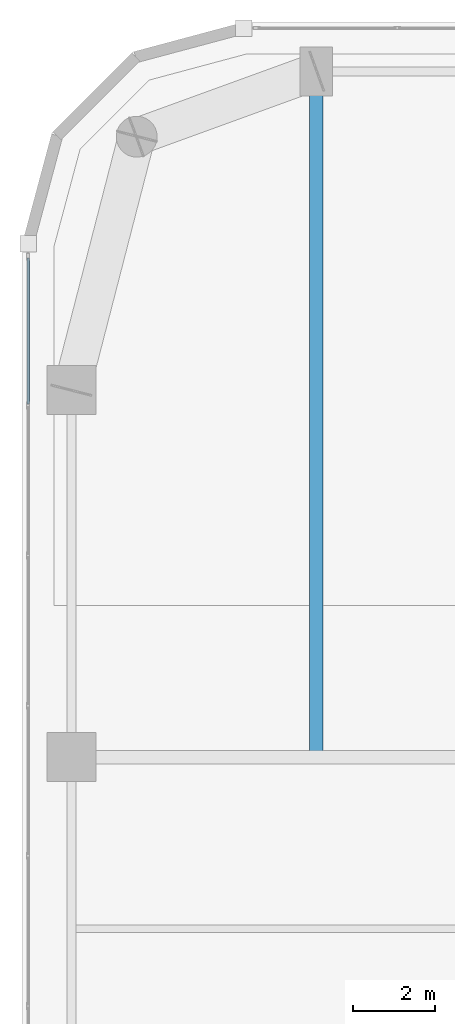
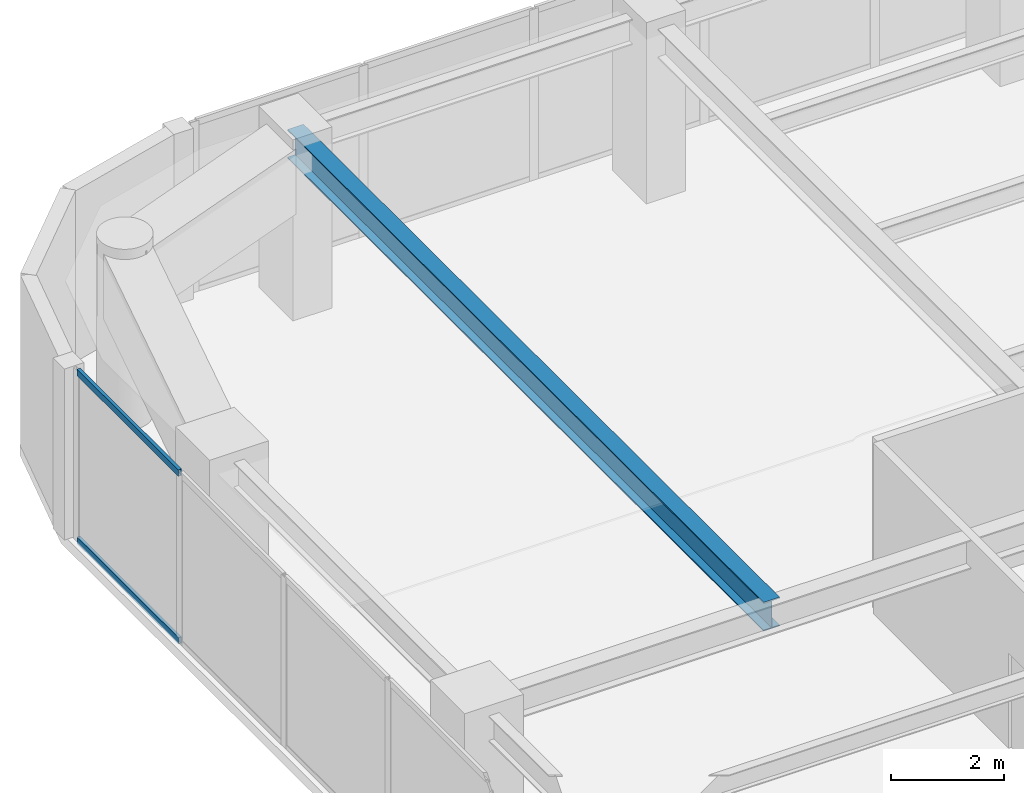
# One storey, part 14 of 30: 2 members, 1 beam, 1 element without a shape of its own.
"""IFC4 building model written with IfcOpenShell, lengths in metres."""

from ifc_helpers import new_model, si_unit, direction, frame, origin, origin_2d, place, context, subcontext, project, spatial, hollow_rectangle, i_section, extrude, material, layer, layer_set, material_profile, profile_set, type_object, element, aggregate, save


model = new_model("IFC4")

# Units and contexts
model_context = context("Model", 3, precision=1e-05, world=origin(), true_north=direction((0.0, 1.0)))
body_context = subcontext(model_context, "Body", "Model", "MODEL_VIEW")
ifc_project = project(units=[si_unit("LENGTHUNIT", "METRE"), si_unit("AREAUNIT", "SQUARE_METRE"), si_unit("VOLUMEUNIT", "CUBIC_METRE"), si_unit("PLANEANGLEUNIT", "RADIAN"), si_unit("MASSUNIT", "GRAM", prefix="KILO")], contexts=[model_context])

# Site, building, storey
site_placement = place(None, origin())
site = spatial("IfcSite", under=ifc_project, at=site_placement, CompositionType="ELEMENT")
building_placement = place(site_placement, origin())
building = spatial("IfcBuilding", under=site, at=building_placement, Name="Kiyonajd Concourse Tower", CompositionType="ELEMENT")
storey_placement = place(building_placement, frame((0.0, 0.0, 198.0)))
storey = spatial("IfcBuildingStorey", under=building, at=storey_placement, Name="L50", CompositionType="ELEMENT", Elevation=198.0)

# Beam
ifc_material_1 = material(Name="Steel ASTM A992 Grade 50", Category="steel")
ifc_material_profile_1 = material_profile(ifc_material_1, i_section(OverallWidth=0.326904296875, OverallDepth=0.6220703125, WebThickness=0.015380859375, FlangeThickness=0.0244140625, at=origin_2d()), Name="W610X195")
ifc_profile_set_1 = profile_set([ifc_material_profile_1], Name="Steel ASTM A992 Grade 50")
beam_type = type_object("IfcBeamType", Name="BM-TWR-610A", PredefinedType="BEAM", material=ifc_profile_set_1)
beam_placement = place(storey_placement, frame((25.199951171875, 44.39990234375, 3.368896484375), z_axis=(0.0, 1.0, 0.0), x_axis=(-1.0, 0.0, 0.0)))
element("IfcBeam", 1, at=beam_placement, inside=storey, type_object=beam_type, Name="L50 North Lease Girder", PredefinedType="BEAM", context=body_context, shape_type="SweptSolid", body=[
    extrude(i_section(OverallWidth=0.326904296875, OverallDepth=0.6220703125, WebThickness=0.015380859375, FlangeThickness=0.0244140625, at=origin_2d()), origin(), (0.0, 0.0, 1.0), 16.800048828125),
])

# Curtain wall, members
ifc_material_2 = material(Name="Thermally Broken Anodised Aluminium", Category="aluminium")
ifc_layer = layer(ifc_material_2, 0.179931640625)
ifc_layer_set = layer_set([ifc_layer], Name="Thermally Broken Anodised Aluminium")
curtain_wall_type = type_object("IfcCurtainWallType", Name="CW-SYS-03", PredefinedType="NOTDEFINED", material=ifc_layer_set)
curtain_wall_placement = place(storey_placement, origin())
curtain_wall = element("IfcCurtainWall", 2, at=curtain_wall_placement, inside=storey, type_object=curtain_wall_type, Name="L50 Unitised Curtain Wall CW3", PredefinedType="NOTDEFINED")
ifc_material_profile_2 = material_profile(ifc_material_2, hollow_rectangle(XDim=0.06494140625, YDim=0.139892578125, WallThickness=0.00390625, at=origin_2d()), Name="TRAN-65x140")
ifc_profile_set_2 = profile_set([ifc_material_profile_2], Name="Thermally Broken Anodised Aluminium")
member_type = type_object("IfcMemberType", Name="MB-CW-TRAN1", PredefinedType="USERDEFINED", material=ifc_profile_set_2)
member_1_placement = place(storey_placement, frame((18.139892578125, 53.047119140625, 0.032470703125), z_axis=(0.0, 1.0, 0.0), x_axis=(-1.0, 0.0, 0.0)))
member_1 = element("IfcMember", 3, at=member_1_placement, type_object=member_type, Name="CW3 transom 6.1", ObjectType="TRANSOM", PredefinedType="USERDEFINED", context=body_context, shape_type="SweptSolid", body=[
    extrude(hollow_rectangle(XDim=0.06494140625, YDim=0.139892578125, WallThickness=0.00390625, at=origin_2d()), origin(), (0.0, 0.0, 1.0), 3.57958984375),
])
member_2_placement = place(storey_placement, frame((18.139892578125, 53.047119140625, 3.6474609375), z_axis=(0.0, 1.0, 0.0), x_axis=(-1.0, 0.0, 0.0)))
member_2 = element("IfcMember", 4, at=member_2_placement, type_object=member_type, Name="CW3 transom 6.2", ObjectType="TRANSOM", PredefinedType="USERDEFINED", context=body_context, shape_type="SweptSolid", body=[
    extrude(hollow_rectangle(XDim=0.06494140625, YDim=0.139892578125, WallThickness=0.00390625, at=origin_2d()), origin(), (0.0, 0.0, 1.0), 3.57958984375),
])
aggregate(curtain_wall, [member_1, member_2])

save(model, "model.ifc")
